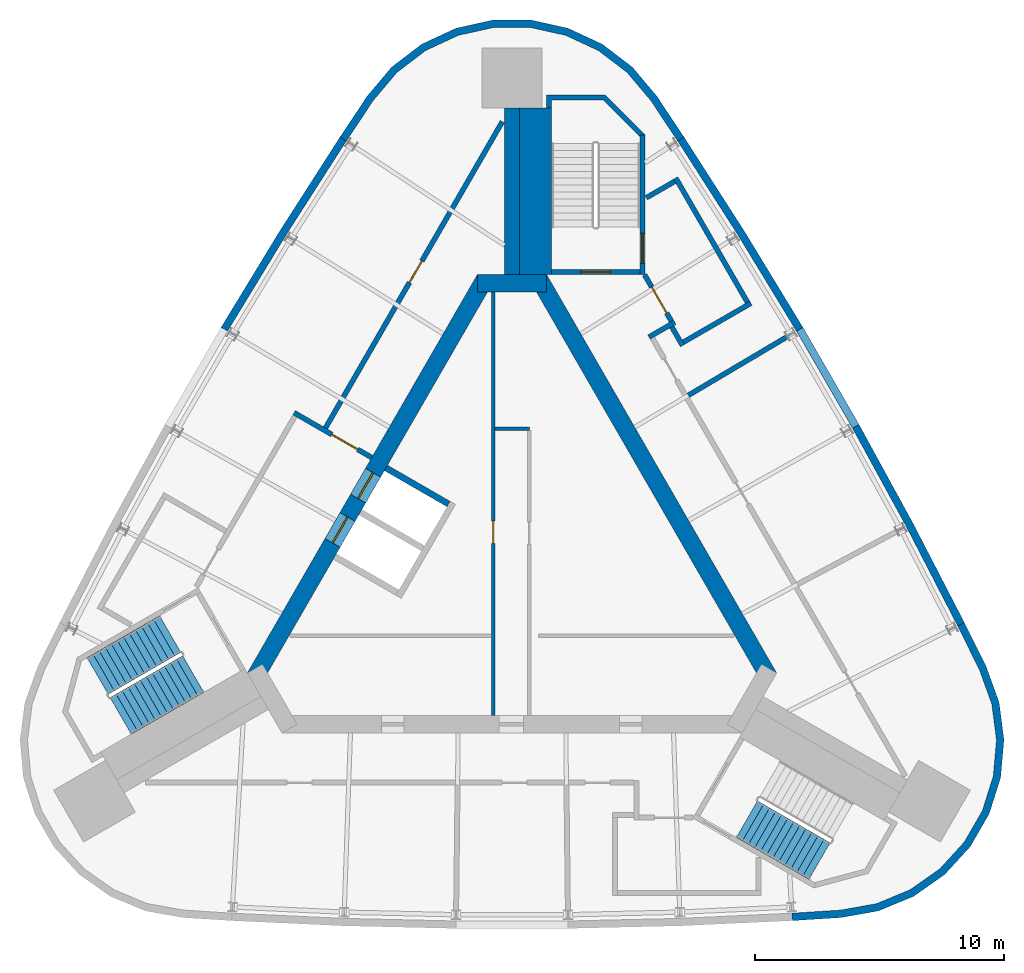
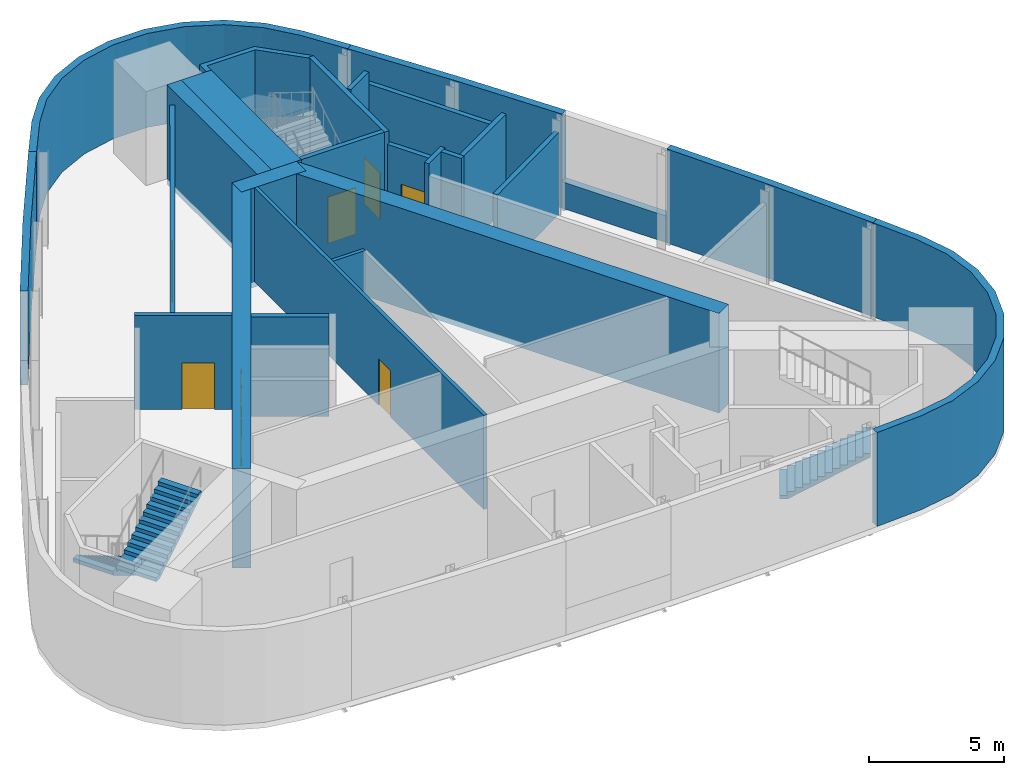
# One storey, part 5 of 7: 26 walls, 8 doors, 3 stair flights, 8 openings, 2 elements without a shape of their own.
"""IFC4 building model written with IfcOpenShell, lengths in metres."""

from ifc_helpers import new_model, si_unit, direction, frame, frame_2d, origin, place, context, subcontext, project, spatial, polyline, rectangle, outline, extrude, material, layer, layer_set, type_object, element, fill, aggregate, save


model = new_model("IFC4")

# Units and contexts
model_context = context("Model", 3, precision=1e-05, world=origin(), true_north=direction((0.0, 1.0)))
body_context = subcontext(model_context, "Body", "Model", "MODEL_VIEW")
ifc_project = project(units=[si_unit("LENGTHUNIT", "METRE"), si_unit("AREAUNIT", "SQUARE_METRE"), si_unit("VOLUMEUNIT", "CUBIC_METRE"), si_unit("PLANEANGLEUNIT", "RADIAN"), si_unit("MASSUNIT", "GRAM", prefix="KILO")], contexts=[model_context])

# Site, building, storey
site_placement = place(None, origin())
site = spatial("IfcSite", under=ifc_project, at=site_placement, CompositionType="ELEMENT")
building_placement = place(site_placement, origin())
building = spatial("IfcBuilding", under=site, at=building_placement, Name="Noor Cloister Tower", CompositionType="ELEMENT")
storey_placement = place(building_placement, frame((0.0, 0.0, 293.10009765625)))
storey = spatial("IfcBuildingStorey", under=building, at=storey_placement, Name="L74", CompositionType="ELEMENT", Elevation=293.10009765625)

# Wall
ifc_material_1 = material(Name="Concrete C50/60", Category="concrete")
ifc_layer_1 = layer(ifc_material_1, 0.60009765625)
ifc_layer_set_1 = layer_set([ifc_layer_1], Name="Buttress wall 600 C50/60")
wall_type_1 = type_object("IfcWallType", Name="Buttress wall 600 C50/60", PredefinedType="SHEAR", material=ifc_layer_set_1)
wall_1_placement = place(storey_placement, frame((0.0, 11.456298828125, -0.25), z_axis=(0.0, 0.0, 1.0), x_axis=(0.0, 1.0, 0.0)))
element("IfcWall", 1, at=wall_1_placement, inside=storey, type_object=wall_type_1, Name="Buttress wall N L74", PredefinedType="SHEAR", context=body_context, shape_type="SweptSolid", body=[
    extrude(rectangle(XDim=6.6787109375, YDim=0.60009765625, at=frame_2d((3.33935546875, 0.0))), origin(), (0.0, 0.0, 1.0), 4.5),
])

# Wall, opening, door
ifc_material_2 = material(Name="Concrete C30/37", Category="concrete")
ifc_layer_2 = layer(ifc_material_2, 0.14990234375)
ifc_layer_set_2 = layer_set([ifc_layer_2], Name="Core partition 150 C30/37")
wall_type_2 = type_object("IfcWallType", Name="Core partition 150 C30/37", PredefinedType="PARTITIONING", material=ifc_layer_set_2)
wall_2_placement = place(storey_placement, frame((-0.753662109375, 10.75634765625, 0.0), z_axis=(0.0, 0.0, 1.0), x_axis=(0.0, -1.0, 0.0)))
wall_2 = element("IfcWall", 2, at=wall_2_placement, inside=storey, type_object=wall_type_2, Name="Core room partition L74 2", PredefinedType="PARTITIONING", context=body_context, shape_type="SweptSolid", body=[
    extrude(rectangle(XDim=16.984619140625, YDim=0.14990234375, at=frame_2d((8.4921875, 0.0))), origin(), (0.0, 0.0, 1.0), 4.25),
])
opening_1_placement = place(wall_2_placement, frame((9.1845703125, 0.0, 0.0)))
opening_1 = element("IfcOpeningElement", 3, at=opening_1_placement, cuts=wall_2, Name="Opening L74-904", PredefinedType="OPENING", context=body_context, shape_type="SweptSolid", body=[
    extrude(rectangle(XDim=0.89990234375, YDim=2.10009765625, at=frame_2d((0.449951171875, 1.050048828125))), frame((0.0, 0.0849609375, 0.0), z_axis=(0.0, -1.0, 0.0), x_axis=(1.0, 0.0, 0.0)), (0.0, 0.0, 1.0), 0.169921875),
])
ifc_material_3 = material(Name="Steel", Category="steel")
door_type_1 = type_object("IfcDoorType", Name="Core door 900 x 2100 FD120", OperationType="SINGLE_SWING_LEFT", PredefinedType="DOOR", material=ifc_material_3)
door_1_placement = place(opening_1_placement, origin())
door_1 = element("IfcDoor", 4, at=door_1_placement, inside=storey, type_object=door_type_1, Name="Core door 4 L74", OperationType="SINGLE_SWING_RIGHT", OverallHeight=2.10009765625, OverallWidth=0.89990234375, PredefinedType="DOOR", context=body_context, shape_type="SweptSolid", body=[
    extrude(rectangle(XDim=0.89990234375, YDim=2.10009765625, at=frame_2d((0.449951171875, 1.050048828125))), frame((0.0, 0.02490234375, 0.0), z_axis=(0.0, -1.0, 0.0), x_axis=(1.0, 0.0, 0.0)), (0.0, 0.0, 1.0), 0.050048828125),
])
fill(opening_1, door_1)

# Walls
wall_3_placement = place(storey_placement, frame((-0.6787109375, 5.271728515625, 0.0), z_axis=(0.0, 0.0, 1.0), x_axis=(1.0, 0.0, 0.0)))
element("IfcWall", 5, at=wall_3_placement, inside=storey, type_object=wall_type_2, Name="Core room partition L74 3", PredefinedType="PARTITIONING", context=body_context, shape_type="SweptSolid", body=[
    extrude(rectangle(XDim=1.375, YDim=0.14990234375, at=frame_2d((0.6875, 0.0))), origin(), (0.0, 0.0, 1.0), 4.25),
])
ifc_material_4 = material(Name="Concrete C50/60", Category="concrete")
ifc_layer_3 = layer(ifc_material_4, 0.699951171875)
ifc_layer_set_3 = layer_set([ifc_layer_3], Name="Core wall 700 C50/60")
wall_type_3 = type_object("IfcWallType", Name="Core wall 700 C50/60", PredefinedType="SHEAR", material=ifc_layer_set_3)
wall_4_placement = place(storey_placement, frame((10.311279296875, -4.703125, -0.25), z_axis=(0.0, 0.0, 1.0), x_axis=(-0.500001446645, 0.866024568562, 0.0)))
element("IfcWall", 6, at=wall_4_placement, inside=storey, type_object=wall_type_3, Name="Core wall L74 3", PredefinedType="SHEAR", context=body_context, shape_type="SweptSolid", body=[
    extrude(rectangle(XDim=18.45751953125, YDim=0.699951171875, at=frame_2d((9.228759765625, 0.0))), origin(), (0.0, 0.0, 1.0), 4.5),
])
wall_5_placement = place(storey_placement, frame((1.3857421875, 11.1064453125, -0.25), z_axis=(0.0, 0.0, 1.0), x_axis=(-1.0, 0.0, 0.0)))
element("IfcWall", 7, at=wall_5_placement, inside=storey, type_object=wall_type_3, Name="Core wall L74 4", PredefinedType="SHEAR", context=body_context, shape_type="SweptSolid", body=[
    extrude(rectangle(XDim=2.771484375, YDim=0.699951171875, at=frame_2d((1.3857421875, 0.0))), origin(), (0.0, 0.0, 1.0), 4.5),
])

# Wall, openings, doors
wall_6_placement = place(storey_placement, frame((-1.08251953125, 11.281494140625, -0.25), z_axis=(0.0, 0.0, 1.0), x_axis=(-0.500001446645, -0.866024568562, 0.0)))
wall_6 = element("IfcWall", 8, at=wall_6_placement, inside=storey, type_object=wall_type_3, Name="Core wall L74 5", PredefinedType="SHEAR", context=body_context, shape_type="SweptSolid", body=[
    extrude(rectangle(XDim=18.45751953125, YDim=0.699951171875, at=frame_2d((9.228759765625, 0.0))), origin(), (0.0, 0.0, 1.0), 4.5),
])
opening_2_placement = place(wall_6_placement, frame((8.978759765625, 0.0, 0.25)))
opening_2 = element("IfcOpeningElement", 9, at=opening_2_placement, cuts=wall_6, Name="Opening L74-FF1", PredefinedType="OPENING", context=body_context, shape_type="SweptSolid", body=[
    extrude(rectangle(XDim=1.199951171875, YDim=2.10009765625, at=frame_2d((0.60009765625, 1.050048828125))), frame((0.0, 0.35986328125, 0.0), z_axis=(0.0, -1.0, 0.0), x_axis=(1.0, 0.0, 0.0)), (0.0, 0.0, 1.0), 0.719970703125),
])
opening_3_placement = place(wall_6_placement, frame((11.02880859375, 0.0, 0.25)))
opening_3 = element("IfcOpeningElement", 10, at=opening_3_placement, cuts=wall_6, Name="Opening L74-FF2", PredefinedType="OPENING", context=body_context, shape_type="SweptSolid", body=[
    extrude(rectangle(XDim=1.199951171875, YDim=2.10009765625, at=frame_2d((0.60009765625, 1.050048828125))), frame((0.0, 0.35986328125, 0.0), z_axis=(0.0, -1.0, 0.0), x_axis=(1.0, 0.0, 0.0)), (0.0, 0.0, 1.0), 0.719970703125),
])
ifc_material_5 = material(Name="Stainless steel", Category="steel")
door_type_2 = type_object("IfcDoorType", Name="Lift landing door 1200 x 2100", OperationType="DOUBLE_DOOR_SLIDING", PredefinedType="DOOR", material=ifc_material_5)
door_2_placement = place(opening_2_placement, origin())
door_2 = element("IfcDoor", 11, at=door_2_placement, inside=storey, type_object=door_type_2, Name="Landing door FF1 L74", OperationType="DOUBLE_DOOR_SLIDING", OverallHeight=2.10009765625, OverallWidth=1.199951171875, PredefinedType="DOOR", context=body_context, shape_type="SweptSolid", body=[
    extrude(rectangle(XDim=1.199951171875, YDim=2.10009765625, at=frame_2d((0.60009765625, 1.050048828125))), frame((0.0, 0.02490234375, 0.0), z_axis=(0.0, -1.0, 0.0), x_axis=(1.0, 0.0, 0.0)), (0.0, 0.0, 1.0), 0.050048828125),
])
fill(opening_2, door_2)
door_3_placement = place(opening_3_placement, origin())
door_3 = element("IfcDoor", 12, at=door_3_placement, inside=storey, type_object=door_type_2, Name="Landing door FF2 L74", OperationType="DOUBLE_DOOR_SLIDING", OverallHeight=2.10009765625, OverallWidth=1.199951171875, PredefinedType="DOOR", context=body_context, shape_type="SweptSolid", body=[
    extrude(rectangle(XDim=1.199951171875, YDim=2.10009765625, at=frame_2d((0.60009765625, 1.050048828125))), frame((0.0, 0.02490234375, 0.0), z_axis=(0.0, -1.0, 0.0), x_axis=(1.0, 0.0, 0.0)), (0.0, 0.0, 1.0), 0.050048828125),
])
fill(opening_3, door_3)

# Walls
ifc_material_6 = material(Name="Limestone", Category="masonry")
ifc_layer_4 = layer(ifc_material_6, 0.300048828125)
ifc_layer_set_4 = layer_set([ifc_layer_4], Name="Limestone cladding 300")
wall_type_4 = type_object("IfcWallType", Name="Limestone cladding 300", PredefinedType="NOTDEFINED", material=ifc_layer_set_4)
wall_7_placement = place(storey_placement, origin())
element("IfcWall", 13, at=wall_7_placement, inside=storey, type_object=wall_type_4, Name="Limestone pier cladding L74 2.1", PredefinedType="NOTDEFINED", context=body_context, shape_type="SweptSolid", body=[
    extrude(outline(polyline([(11.24365234375, -14.46044921875), (13.21142578125, -14.336181640625), (14.707763671875, -14.068603515625), (16.11083984375, -13.484619140625), (17.35498046875, -12.611083984375), (18.381103515625, -11.489990234375), (19.14111328125, -10.173583984375), (19.59912109375, -8.724365234375), (19.7333984375, -7.210205078125), (19.53759765625, -5.702880859375), (19.021240234375, -4.2734375), (18.14501953125, -2.507080078125), (17.876220703125, -2.640380859375), (18.744873046875, -4.391357421875), (19.244384765625, -5.77392578125), (19.431640625, -7.21630859375), (19.30322265625, -8.6650390625), (18.864990234375, -10.052001953125), (18.1376953125, -11.3115234375), (17.15576171875, -12.384521484375), (15.96533203125, -13.22021484375), (14.62255859375, -13.779052734375), (13.175537109375, -14.037841796875), (11.224853515625, -14.1611328125), (11.24365234375, -14.46044921875)])), origin(), (0.0, 0.0, 1.0), 4.25),
])
wall_8_placement = place(storey_placement, origin())
element("IfcWall", 14, at=wall_8_placement, inside=storey, type_object=wall_type_4, Name="Limestone pier cladding L74 3.1", PredefinedType="NOTDEFINED", context=body_context, shape_type="SweptSolid", body=[
    extrude(outline(polyline([(6.9013671875, 16.967529296875), (5.809814453125, 18.609619140625), (4.830078125, 19.771484375), (3.62255859375, 20.69482421875), (2.244140625, 21.33544921875), (0.760009765625, 21.66357421875), (-0.760009765625, 21.66357421875), (-2.244140625, 21.33544921875), (-3.62255859375, 20.69482421875), (-4.830078125, 19.771484375), (-5.809814453125, 18.609619140625), (-6.9013671875, 16.967529296875), (-6.6513671875, 16.801513671875), (-5.5693359375, 18.42919921875), (-4.621826171875, 19.55322265625), (-3.46630859375, 20.4365234375), (-2.1474609375, 21.049560546875), (-0.727294921875, 21.363525390625), (0.727294921875, 21.363525390625), (2.1474609375, 21.049560546875), (3.46630859375, 20.4365234375), (4.621826171875, 19.55322265625), (5.5693359375, 18.42919921875), (6.6513671875, 16.801513671875), (6.9013671875, 16.967529296875)])), origin(), (0.0, 0.0, 1.0), 4.25),
])
ifc_material_7 = material(Name="Limestone", Category="masonry")
ifc_layer_5 = layer(ifc_material_7, 0.300048828125)
ifc_layer_set_5 = layer_set([ifc_layer_5], Name="Limestone panel wall 300")
wall_type_5 = type_object("IfcWallType", Name="Limestone panel wall 300", PredefinedType="NOTDEFINED", material=ifc_layer_set_5)
wall_9_placement = place(storey_placement, origin())
element("IfcWall", 15, at=wall_9_placement, inside=storey, type_object=wall_type_5, Name="Limestone crown wall L74 1a", PredefinedType="NOTDEFINED", context=body_context, shape_type="SweptSolid", body=[
    extrude(outline(polyline([(-6.9013671875, 16.967529296875), (-9.32958984375, 13.178955078125), (-11.669189453125, 9.335205078125), (-11.4130859375, 9.17919921875), (-9.074951171875, 13.02001953125), (-6.648681640625, 16.8056640625), (-6.9013671875, 16.967529296875)])), origin(), (0.0, 0.0, 1.0), 4.25),
])
wall_10_placement = place(storey_placement, origin())
element("IfcWall", 16, at=wall_10_placement, inside=storey, type_object=wall_type_5, Name="Limestone crown wall L74 3a", PredefinedType="NOTDEFINED", context=body_context, shape_type="SweptSolid", body=[
    extrude(outline(polyline([(18.14501953125, -2.507080078125), (16.078125, 1.489990234375), (13.919189453125, 5.438232421875), (13.656005859375, 5.294189453125), (15.813232421875, 1.34912109375), (17.87841796875, -2.644775390625), (18.14501953125, -2.507080078125)])), origin(), (0.0, 0.0, 1.0), 4.25),
])
wall_11_placement = place(storey_placement, origin())
element("IfcWall", 17, at=wall_11_placement, inside=storey, type_object=wall_type_5, Name="Limestone crown wall L74 3b", PredefinedType="NOTDEFINED", context=body_context, shape_type="SweptSolid", body=[
    extrude(outline(polyline([(11.669189453125, 9.335205078125), (9.32958984375, 13.178955078125), (6.9013671875, 16.967529296875), (6.648681640625, 16.8056640625), (9.074951171875, 13.02001953125), (11.4130859375, 9.17919921875), (11.669189453125, 9.335205078125)])), origin(), (0.0, 0.0, 1.0), 4.25),
])
wall_12_placement = place(storey_placement, origin())
element("IfcWall", 18, at=wall_12_placement, inside=storey, type_object=wall_type_5, Name="Limestone crown wall L74 3 lower", PredefinedType="NOTDEFINED", context=body_context, shape_type="SweptSolid", body=[
    extrude(outline(polyline([(13.919189453125, 5.438232421875), (11.669189453125, 9.335205078125), (11.409423828125, 9.185302734375), (13.659423828125, 5.288330078125), (13.919189453125, 5.438232421875)])), origin(), (0.0, 0.0, 1.0), 1.199951171875),
])
ifc_material_8 = material(Name="Concrete C50/60", Category="concrete")
ifc_layer_6 = layer(ifc_material_8, 0.25)
ifc_layer_set_6 = layer_set([ifc_layer_6], Name="Shaft wall 250 C50/60")
wall_type_6 = type_object("IfcWallType", Name="Shaft wall 250 C50/60", PredefinedType="PARTITIONING", material=ifc_layer_set_6)
wall_13_placement = place(storey_placement, frame((-5.056396484375, 3.69873046875, -0.25), z_axis=(0.0, 0.0, 1.0), x_axis=(0.866032775405, -0.499987231761, 0.0)))
element("IfcWall", 19, at=wall_13_placement, inside=storey, type_object=wall_type_6, Name="Lift shaft wall L74 NW 3", PredefinedType="PARTITIONING", context=body_context, shape_type="SweptSolid", body=[
    extrude(rectangle(XDim=2.89990234375, YDim=0.25, at=frame_2d((1.449951171875, 0.0))), origin(), (0.0, 0.0, 1.0), 4.5),
])
ifc_material_9 = material(Name="Concrete C50/60", Category="concrete")
ifc_layer_7 = layer(ifc_material_9, 1.285888671875)
ifc_layer_set_7 = layer_set([ifc_layer_7], Name="Stair enclosure wall 1286 C50/60")
wall_type_7 = type_object("IfcWallType", Name="Stair enclosure wall 1286 C50/60", PredefinedType="SHEAR", material=ifc_layer_set_7)
wall_14_placement = place(storey_placement, frame((0.94287109375, 11.456298828125, -0.25), z_axis=(0.0, 0.0, 1.0), x_axis=(0.0, 1.0, 0.0)))
element("IfcWall", 20, at=wall_14_placement, inside=storey, type_object=wall_type_7, Name="Stair enclosure wall ST1 L74 riser side", PredefinedType="SHEAR", context=body_context, shape_type="SweptSolid", body=[
    extrude(rectangle(XDim=6.6787109375, YDim=1.28564453125, at=frame_2d((3.33935546875, 0.0))), origin(), (0.0, 0.0, 1.0), 4.5),
])

# Wall, opening, door
ifc_material_10 = material(Name="Concrete C50/60", Category="concrete")
ifc_layer_8 = layer(ifc_material_10, 0.199951171875)
ifc_layer_set_8 = layer_set([ifc_layer_8], Name="Stair enclosure wall 200 C50/60")
wall_type_8 = type_object("IfcWallType", Name="Stair enclosure wall 200 C50/60", PredefinedType="SHEAR", material=ifc_layer_set_8)
wall_15_placement = place(storey_placement, frame((5.135498046875, 11.556396484375, -0.25), z_axis=(0.0, 0.0, 1.0), x_axis=(-1.0, 0.0, 0.0)))
wall_15 = element("IfcWall", 21, at=wall_15_placement, inside=storey, type_object=wall_type_8, Name="Stair enclosure wall ST1 L74 near end", PredefinedType="SHEAR", context=body_context, shape_type="SweptSolid", body=[
    extrude(rectangle(XDim=3.5498046875, YDim=0.199951171875, at=frame_2d((1.77490234375, 0.0))), origin(), (0.0, 0.0, 1.0), 4.5),
])
opening_4_placement = place(wall_15_placement, frame((1.175048828125, 0.0, 0.25)))
opening_4 = element("IfcOpeningElement", 22, at=opening_4_placement, cuts=wall_15, Name="Opening L74-ST1L", PredefinedType="OPENING", context=body_context, shape_type="SweptSolid", body=[
    extrude(rectangle(XDim=1.199951171875, YDim=2.10009765625, at=frame_2d((0.60009765625, 1.050048828125))), frame((0.0, 0.10986328125, 0.0), z_axis=(0.0, -1.0, 0.0), x_axis=(1.0, 0.0, 0.0)), (0.0, 0.0, 1.0), 0.219970703125),
])
ifc_material_11 = material(Name="Steel", Category="steel")
door_type_3 = type_object("IfcDoorType", Name="Stair door 1200 x 2100 FD120", OperationType="SINGLE_SWING_LEFT", PredefinedType="DOOR", material=ifc_material_11)
door_4_placement = place(opening_4_placement, origin())
door_4 = element("IfcDoor", 23, at=door_4_placement, inside=storey, type_object=door_type_3, Name="Stair door ST1 L74", OperationType="SINGLE_SWING_RIGHT", OverallHeight=2.10009765625, OverallWidth=1.199951171875, PredefinedType="DOOR", context=body_context, shape_type="SweptSolid", body=[
    extrude(rectangle(XDim=1.199951171875, YDim=2.10009765625, at=frame_2d((0.60009765625, 1.050048828125))), frame((0.0, 0.02490234375, 0.0), z_axis=(0.0, -1.0, 0.0), x_axis=(1.0, 0.0, 0.0)), (0.0, 0.0, 1.0), 0.050048828125),
])
fill(opening_4, door_4)

wall_16_placement = place(storey_placement, frame((5.235595703125, 11.456298828125, -0.25), z_axis=(0.0, 0.0, 1.0), x_axis=(0.0, 1.0, 0.0)))
wall_16 = element("IfcWall", 24, at=wall_16_placement, inside=storey, type_object=wall_type_8, Name="Stair enclosure wall ST1 L74 outer side", PredefinedType="SHEAR", context=body_context, shape_type="SweptSolid", body=[
    extrude(rectangle(XDim=5.60009765625, YDim=0.199951171875, at=frame_2d((2.800048828125, 0.0))), origin(), (0.0, 0.0, 1.0), 4.5),
])
opening_5_placement = place(wall_16_placement, frame((0.449951171875, 0.0, 0.25)))
opening_5 = element("IfcOpeningElement", 25, at=opening_5_placement, cuts=wall_16, Name="Opening L74-ST1C", PredefinedType="OPENING", context=body_context, shape_type="SweptSolid", body=[
    extrude(rectangle(XDim=1.199951171875, YDim=2.10009765625, at=frame_2d((0.60009765625, 1.050048828125))), frame((0.0, 0.10986328125, 0.0), z_axis=(0.0, -1.0, 0.0), x_axis=(1.0, 0.0, 0.0)), (0.0, 0.0, 1.0), 0.219970703125),
])
door_5_placement = place(opening_5_placement, origin())
door_5 = element("IfcDoor", 26, at=door_5_placement, inside=storey, type_object=door_type_3, Name="Stair door ST1 L74", OperationType="SINGLE_SWING_LEFT", OverallHeight=2.10009765625, OverallWidth=1.199951171875, PredefinedType="DOOR", context=body_context, shape_type="SweptSolid", body=[
    extrude(rectangle(XDim=1.199951171875, YDim=2.10009765625, at=frame_2d((0.60009765625, 1.050048828125))), frame((0.0, 0.02490234375, 0.0), z_axis=(0.0, -1.0, 0.0), x_axis=(1.0, 0.0, 0.0)), (0.0, 0.0, 1.0), 0.050048828125),
])
fill(opening_5, door_5)

# Wall
ifc_material_12 = material(Name="Concrete C50/60", Category="concrete")
wall_type_9 = type_object("IfcWallType", Name="Stair far end wall C50/60", PredefinedType="SHEAR", material=ifc_material_12)
wall_17_placement = place(storey_placement, frame((0.0, 0.0, -0.25)))
element("IfcWall", 27, at=wall_17_placement, inside=storey, type_object=wall_type_9, Name="Stair enclosure wall ST1 L74 far end", PredefinedType="SHEAR", context=body_context, shape_type="SweptSolid", body=[
    extrude(outline(polyline([(5.335693359375, 17.056396484375), (3.735595703125, 18.656494140625), (1.385498046875, 18.656494140625), (1.385498046875, 18.135009765625), (1.585693359375, 18.135009765625), (1.585693359375, 18.456298828125), (3.65283203125, 18.456298828125), (5.135498046875, 16.9736328125), (5.135498046875, 17.056396484375), (5.135498046875, 17.056396484375), (5.135498046875, 17.056396484375), (5.135498046875, 17.056396484375), (5.135498046875, 17.056396484375), (5.135498046875, 17.056396484375), (5.135498046875, 17.056396484375), (5.135498046875, 17.056396484375), (5.135498046875, 17.056396484375), (5.135498046875, 17.056396484375), (5.135498046875, 17.056396484375), (5.135498046875, 17.056396484375), (5.135498046875, 17.056396484375), (5.135498046875, 17.056396484375), (5.135498046875, 17.056396484375), (5.135498046875, 17.056396484375), (5.135498046875, 17.056396484375), (5.335693359375, 17.056396484375)])), origin(), (0.0, 0.0, 1.0), 4.5),
])

# Wall, opening, door
ifc_material_13 = material(Name="Concrete block wall, 200 mm", Category="concrete")
ifc_layer_9 = layer(ifc_material_13, 0.199951171875)
ifc_layer_set_9 = layer_set([ifc_layer_9], Name="Upper floor plant room wall 200")
wall_type_10 = type_object("IfcWallType", Name="Upper floor plant room wall 200", PredefinedType="PARTITIONING", material=ifc_layer_set_9)
wall_18_placement = place(storey_placement, frame((-8.740966796875, 5.91259765625, 0.0), z_axis=(0.0, 0.0, 1.0), x_axis=(0.866017220491, -0.500014173611, 0.0)))
wall_18 = element("IfcWall", 28, at=wall_18_placement, inside=storey, type_object=wall_type_10, Name="Upper floor plant room wall 200 L74 001", PredefinedType="PARTITIONING", context=body_context, shape_type="SweptSolid", body=[
    extrude(rectangle(XDim=3.59814453125, YDim=0.199951171875, at=frame_2d((1.799072265625, 0.0))), origin(), (0.0, 0.0, 1.0), 4.25),
])
opening_6_placement = place(wall_18_placement, frame((1.74755859375, 0.0, 0.0)))
opening_6 = element("IfcOpeningElement", 29, at=opening_6_placement, cuts=wall_18, Name="Opening L74-002", PredefinedType="OPENING", context=body_context, shape_type="SweptSolid", body=[
    extrude(rectangle(XDim=1.199951171875, YDim=2.10009765625, at=frame_2d((0.60009765625, 1.050048828125))), frame((0.0, 0.10986328125, 0.0), z_axis=(0.0, -1.0, 0.0), x_axis=(1.0, 0.0, 0.0)), (0.0, 0.0, 1.0), 0.219970703125),
])
ifc_material_14 = material(Name="Timber door leaf with steel frame", Category="steel")
door_type_4 = type_object("IfcDoorType", Name="Firefighting lobby door 1200", OperationType="NOTDEFINED", PredefinedType="DOOR", material=ifc_material_14)
door_6_placement = place(opening_6_placement, origin())
door_6 = element("IfcDoor", 30, at=door_6_placement, inside=storey, type_object=door_type_4, Name="Firefighting lobby door 1200 L74-002", OperationType="SINGLE_SWING_RIGHT", OverallHeight=2.10009765625, OverallWidth=1.199951171875, PredefinedType="DOOR", context=body_context, shape_type="SweptSolid", body=[
    extrude(rectangle(XDim=1.199951171875, YDim=2.10009765625, at=frame_2d((0.60009765625, 1.050048828125))), frame((0.0, 0.02490234375, 0.0), z_axis=(0.0, -1.0, 0.0), x_axis=(1.0, 0.0, 0.0)), (0.0, 0.0, 1.0), 0.050048828125),
])
fill(opening_6, door_6)

wall_19_placement = place(storey_placement, frame((-0.38671875, 17.5869140625, 0.0), z_axis=(0.0, 0.0, 1.0), x_axis=(-0.499990582914, -0.866030840673, 0.0)))
wall_19 = element("IfcWall", 31, at=wall_19_placement, inside=storey, type_object=wall_type_10, Name="Upper floor plant room wall 200 L74 004", PredefinedType="PARTITIONING", context=body_context, shape_type="SweptSolid", body=[
    extrude(rectangle(XDim=14.187255859375, YDim=0.199951171875, at=frame_2d((7.09375, 0.0))), origin(), (0.0, 0.0, 1.0), 3.701904296875),
])
opening_7_placement = place(wall_19_placement, frame((6.455322265625, 0.0, 0.0)))
opening_7 = element("IfcOpeningElement", 32, at=opening_7_placement, cuts=wall_19, Name="Opening L74-001", PredefinedType="OPENING", context=body_context, shape_type="SweptSolid", body=[
    extrude(rectangle(XDim=1.0, YDim=2.10009765625, at=frame_2d((0.5, 1.050048828125))), frame((0.0, 0.10986328125, 0.0), z_axis=(0.0, -1.0, 0.0), x_axis=(1.0, 0.0, 0.0)), (0.0, 0.0, 1.0), 0.219970703125),
])
ifc_material_15 = material(Name="Timber door leaf with steel frame", Category="steel")
door_type_5 = type_object("IfcDoorType", Name="Plant room door 1000", OperationType="NOTDEFINED", PredefinedType="DOOR", material=ifc_material_15)
door_7_placement = place(opening_7_placement, origin())
door_7 = element("IfcDoor", 33, at=door_7_placement, inside=storey, type_object=door_type_5, Name="Plant room door 1000 L74-001", OperationType="SINGLE_SWING_LEFT", OverallHeight=2.10009765625, OverallWidth=1.0, PredefinedType="DOOR", context=body_context, shape_type="SweptSolid", body=[
    extrude(rectangle(XDim=1.0, YDim=2.10009765625, at=frame_2d((0.5, 1.050048828125))), frame((0.0, 0.02490234375, 0.0), z_axis=(0.0, -1.0, 0.0), x_axis=(1.0, 0.0, 0.0)), (0.0, 0.0, 1.0), 0.050048828125),
])
fill(opening_7, door_7)

# Walls
wall_20_placement = place(storey_placement, frame((6.407958984375, 9.357666015625, 0.0), z_axis=(0.0, 0.0, 1.0), x_axis=(0.499958279983, -0.866049489508, 0.0)))
element("IfcWall", 34, at=wall_20_placement, inside=storey, type_object=wall_type_10, Name="Upper floor plant room wall 200 L74 016", PredefinedType="PARTITIONING", context=body_context, shape_type="SweptSolid", body=[
    extrude(rectangle(XDim=0.8662109375, YDim=0.199951171875, at=frame_2d((0.43310546875, 0.0))), origin(), (0.0, 0.0, 1.0), 4.25),
])
wall_21_placement = place(storey_placement, frame((5.49365234375, 8.9453125, 0.0), z_axis=(0.0, 0.0, 1.0), x_axis=(0.866039638822, 0.499975343382, 0.0)))
element("IfcWall", 35, at=wall_21_placement, inside=storey, type_object=wall_type_10, Name="Upper floor plant room wall 200 L74 017", PredefinedType="PARTITIONING", context=body_context, shape_type="SweptSolid", body=[
    extrude(rectangle(XDim=1.19775390625, YDim=0.199951171875, at=frame_2d((0.598876953125, 0.0))), origin(), (0.0, 0.0, 1.0), 4.25),
])

# Wall, opening, door
wall_22_placement = place(storey_placement, frame((6.39453125, 9.580810546875, 0.0), z_axis=(0.0, 0.0, 1.0), x_axis=(-0.500003735859, 0.866023246874, 0.0)))
wall_22 = element("IfcWall", 36, at=wall_22_placement, inside=storey, type_object=wall_type_10, Name="Upper floor plant room wall 200 L74 018", PredefinedType="PARTITIONING", context=body_context, shape_type="SweptSolid", body=[
    extrude(rectangle(XDim=2.15380859375, YDim=0.199951171875, at=frame_2d((1.076904296875, 0.0))), origin(), (0.0, 0.0, 1.0), 3.701904296875),
])
opening_8_placement = place(wall_22_placement, frame((0.383056640625, 0.0, 0.0)))
opening_8 = element("IfcOpeningElement", 37, at=opening_8_placement, cuts=wall_22, Name="Opening L74-011", PredefinedType="OPENING", context=body_context, shape_type="SweptSolid", body=[
    extrude(rectangle(XDim=1.199951171875, YDim=2.10009765625, at=frame_2d((0.60009765625, 1.050048828125))), frame((0.0, 0.10986328125, 0.0), z_axis=(0.0, -1.0, 0.0), x_axis=(1.0, 0.0, 0.0)), (0.0, 0.0, 1.0), 0.219970703125),
])
ifc_material_16 = material(Name="Timber door leaf with steel frame", Category="steel")
door_type_6 = type_object("IfcDoorType", Name="Protected lobby door 1200", OperationType="NOTDEFINED", PredefinedType="DOOR", material=ifc_material_16)
door_8_placement = place(opening_8_placement, origin())
door_8 = element("IfcDoor", 38, at=door_8_placement, inside=storey, type_object=door_type_6, Name="Protected lobby door 1200 L74-011", OperationType="SINGLE_SWING_LEFT", OverallHeight=2.10009765625, OverallWidth=1.199951171875, PredefinedType="DOOR", context=body_context, shape_type="SweptSolid", body=[
    extrude(rectangle(XDim=1.199951171875, YDim=2.10009765625, at=frame_2d((0.60009765625, 1.050048828125))), frame((0.0, 0.02490234375, 0.0), z_axis=(0.0, -1.0, 0.0), x_axis=(1.0, 0.0, 0.0)), (0.0, 0.0, 1.0), 0.050048828125),
])
fill(opening_8, door_8)

# Walls
wall_23_placement = place(storey_placement, frame((7.072021484375, 6.609619140625, 0.0), z_axis=(0.0, 0.0, 1.0), x_axis=(0.860180512155, 0.509989692552, 0.0)))
element("IfcWall", 39, at=wall_23_placement, inside=storey, type_object=wall_type_10, Name="Upper floor plant room wall 200 L74 021", PredefinedType="PARTITIONING", context=body_context, shape_type="SweptSolid", body=[
    extrude(rectangle(XDim=4.64453125, YDim=0.199951171875, at=frame_2d((2.322265625, 0.0))), origin(), (0.0, 0.0, 1.0), 3.701904296875),
])
wall_24_placement = place(storey_placement, frame((6.877685546875, 8.743896484375, 0.0), z_axis=(0.0, 0.0, 1.0), x_axis=(0.866025387892, 0.500000027526, 0.0)))
element("IfcWall", 40, at=wall_24_placement, inside=storey, type_object=wall_type_10, Name="Upper floor plant room wall 200 L74 022", PredefinedType="PARTITIONING", context=body_context, shape_type="SweptSolid", body=[
    extrude(rectangle(XDim=3.12158203125, YDim=0.199951171875, at=frame_2d((1.560791015625, 0.0))), origin(), (0.0, 0.0, 1.0), 4.25),
])
wall_25_placement = place(storey_placement, frame((9.444580078125, 10.34130859375, 0.0), z_axis=(0.0, 0.0, 1.0), x_axis=(-0.499996461177, 0.866027446915, 0.0)))
element("IfcWall", 41, at=wall_25_placement, inside=storey, type_object=wall_type_10, Name="Upper floor plant room wall 200 L74 023", PredefinedType="PARTITIONING", context=body_context, shape_type="SweptSolid", body=[
    extrude(rectangle(XDim=5.7587890625, YDim=0.199951171875, at=frame_2d((2.87939453125, 0.0))), origin(), (0.0, 0.0, 1.0), 3.701904296875),
])
wall_26_placement = place(storey_placement, frame((6.528564453125, 15.19189453125, 0.0), z_axis=(0.0, 0.0, 1.0), x_axis=(-0.866117824122, -0.499839889103, 0.0)))
element("IfcWall", 42, at=wall_26_placement, inside=storey, type_object=wall_type_10, Name="Upper floor plant room wall 200 L74 024", PredefinedType="PARTITIONING", context=body_context, shape_type="SweptSolid", body=[
    extrude(rectangle(XDim=1.31982421875, YDim=0.199951171875, at=frame_2d((0.659912109375, 0.0))), origin(), (0.0, 0.0, 1.0), 4.25),
])

# Stair, stair flights
ifc_material_17 = material(Name="Concrete C40/50", Category="concrete")
stair_type = type_object("IfcStairType", Name="Exit stair 26 risers", PredefinedType="HALF_TURN_STAIR", material=ifc_material_17)
stair_1_placement = place(storey_placement, origin())
stair_1 = element("IfcStair", 43, at=stair_1_placement, inside=storey, type_object=stair_type, Name="Exit stair ST2 L74", PredefinedType="HALF_TURN_STAIR")
ifc_material_18 = material(Name="Concrete C40/50", Category="concrete")
stair_flight_type = type_object("IfcStairFlightType", Name="Exit stair flight", PredefinedType="STRAIGHT", material=ifc_material_18)
stair_flight_1_placement = place(storey_placement, frame((-13.709716796875, -2.966796875, 0.0), z_axis=(0.0, 0.0, 1.0), x_axis=(-0.866025403784, -0.5, 0.0)))
stair_flight_1 = element("IfcStairFlight", 44, at=stair_flight_1_placement, type_object=stair_flight_type, Name="ST2 flight 1", NumberOfRisers=13, NumberOfTreads=12, PredefinedType="STRAIGHT", RiserHeight=0.173076923, TreadLength=0.28, context=body_context, shape_type="SweptSolid", body=[
    extrude(outline(polyline([(0.0, 0.0), (0.0, 0.173095703125), (0.280029296875, 0.173095703125), (0.280029296875, 0.34619140625), (0.56005859375, 0.34619140625), (0.56005859375, 0.519287109375), (0.840087890625, 0.519287109375), (0.840087890625, 0.6923828125), (1.1201171875, 0.6923828125), (1.1201171875, 0.865478515625), (1.39990234375, 0.865478515625), (1.39990234375, 1.03857421875), (1.679931640625, 1.03857421875), (1.679931640625, 1.21142578125), (1.9599609375, 1.21142578125), (1.9599609375, 1.384521484375), (2.239990234375, 1.384521484375), (2.239990234375, 1.5576171875), (2.52001953125, 1.5576171875), (2.52001953125, 1.730712890625), (2.800048828125, 1.730712890625), (2.800048828125, 1.90380859375), (3.080078125, 1.90380859375), (3.080078125, 2.076904296875), (3.360107421875, 2.076904296875), (3.360107421875, 2.25), (3.360107421875, 1.900634765625), (0.28515625, 0.0), (0.0, 0.0)])), frame((0.0, 0.85009765625, 0.0), z_axis=(0.0, -1.0, 0.0), x_axis=(1.0, 0.0, 0.0)), (0.0, 0.0, 1.0), 1.699951171875),
])
stair_flight_2_placement = place(storey_placement, frame((-15.694580078125, -6.248779296875, 2.25), z_axis=(0.0, 0.0, 1.0), x_axis=(0.866025403784, 0.5, 0.0)))
stair_flight_2 = element("IfcStairFlight", 45, at=stair_flight_2_placement, type_object=stair_flight_type, Name="ST2 flight 2", NumberOfRisers=13, NumberOfTreads=12, PredefinedType="STRAIGHT", RiserHeight=0.173076923, TreadLength=0.28, context=body_context, shape_type="SweptSolid", body=[
    extrude(outline(polyline([(0.0, 0.0), (0.0, 0.173095703125), (0.280029296875, 0.173095703125), (0.280029296875, 0.34619140625), (0.56005859375, 0.34619140625), (0.56005859375, 0.519287109375), (0.840087890625, 0.519287109375), (0.840087890625, 0.6923828125), (1.1201171875, 0.6923828125), (1.1201171875, 0.865478515625), (1.39990234375, 0.865478515625), (1.39990234375, 1.03857421875), (1.679931640625, 1.03857421875), (1.679931640625, 1.21142578125), (1.9599609375, 1.21142578125), (1.9599609375, 1.384521484375), (2.239990234375, 1.384521484375), (2.239990234375, 1.5576171875), (2.52001953125, 1.5576171875), (2.52001953125, 1.730712890625), (2.800048828125, 1.730712890625), (2.800048828125, 1.90380859375), (3.080078125, 1.90380859375), (3.080078125, 2.076904296875), (3.360107421875, 2.076904296875), (3.360107421875, 2.25), (3.360107421875, 1.900634765625), (0.28515625, 0.0), (0.0, 0.0)])), frame((0.0, 0.85009765625, 0.0), z_axis=(0.0, -1.0, 0.0), x_axis=(1.0, 0.0, 0.0)), (0.0, 0.0, 1.0), 1.699951171875),
])
aggregate(stair_1, [stair_flight_1, stair_flight_2])

# Stair, stair flight
stair_2_placement = place(storey_placement, origin())
stair_2 = element("IfcStair", 46, at=stair_2_placement, inside=storey, type_object=stair_type, Name="Exit stair ST3 L74", PredefinedType="HALF_TURN_STAIR")
stair_flight_3_placement = place(storey_placement, frame((9.424072265625, -10.3896484375, 0.0), z_axis=(0.0, 0.0, 1.0), x_axis=(0.866025403784, -0.5, 0.0)))
stair_flight_3 = element("IfcStairFlight", 47, at=stair_flight_3_placement, type_object=stair_flight_type, Name="ST3 flight 1", NumberOfRisers=13, NumberOfTreads=12, PredefinedType="STRAIGHT", RiserHeight=0.173076923, TreadLength=0.28, context=body_context, shape_type="SweptSolid", body=[
    extrude(outline(polyline([(0.0, 0.0), (0.0, 0.173095703125), (0.280029296875, 0.173095703125), (0.280029296875, 0.34619140625), (0.56005859375, 0.34619140625), (0.56005859375, 0.519287109375), (0.840087890625, 0.519287109375), (0.840087890625, 0.6923828125), (1.1201171875, 0.6923828125), (1.1201171875, 0.865478515625), (1.39990234375, 0.865478515625), (1.39990234375, 1.03857421875), (1.679931640625, 1.03857421875), (1.679931640625, 1.21142578125), (1.9599609375, 1.21142578125), (1.9599609375, 1.384521484375), (2.239990234375, 1.384521484375), (2.239990234375, 1.5576171875), (2.52001953125, 1.5576171875), (2.52001953125, 1.730712890625), (2.800048828125, 1.730712890625), (2.800048828125, 1.90380859375), (3.080078125, 1.90380859375), (3.080078125, 2.076904296875), (3.360107421875, 2.076904296875), (3.360107421875, 2.25), (3.360107421875, 1.900634765625), (0.28515625, 0.0), (0.0, 0.0)])), frame((0.0, 0.85009765625, 0.0), z_axis=(0.0, -1.0, 0.0), x_axis=(1.0, 0.0, 0.0)), (0.0, 0.0, 1.0), 1.699951171875),
])
aggregate(stair_2, [stair_flight_3])

save(model, "model.ifc")
